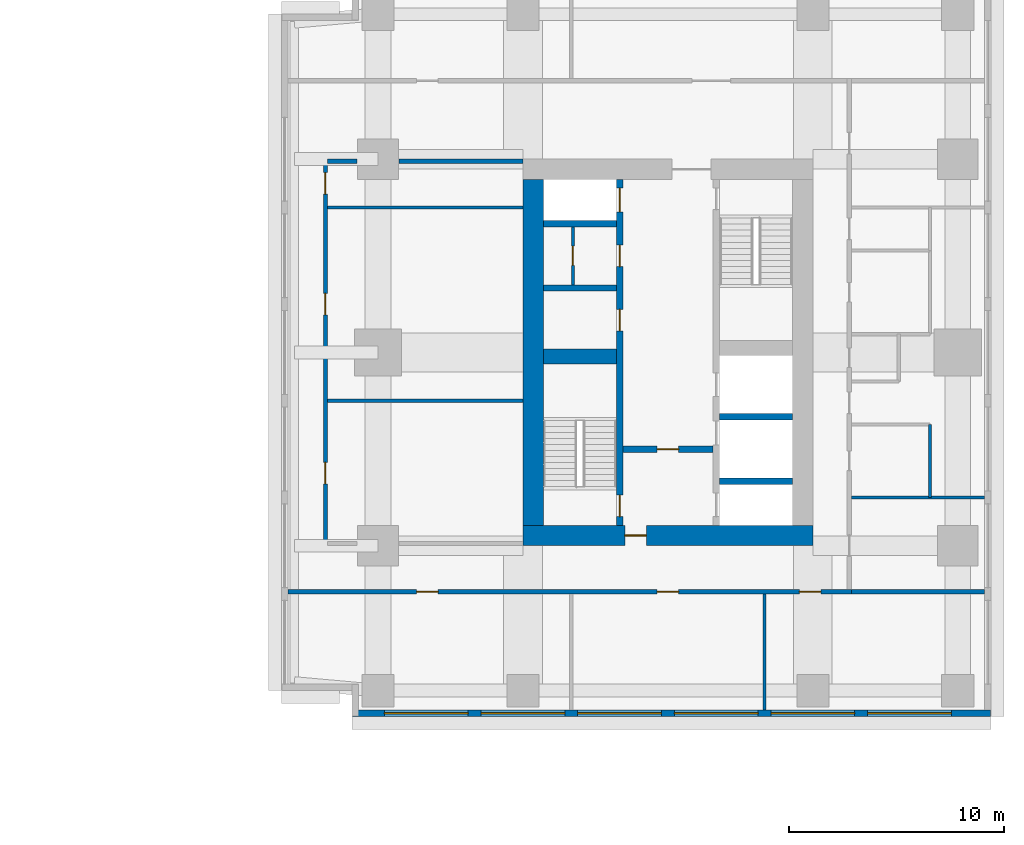
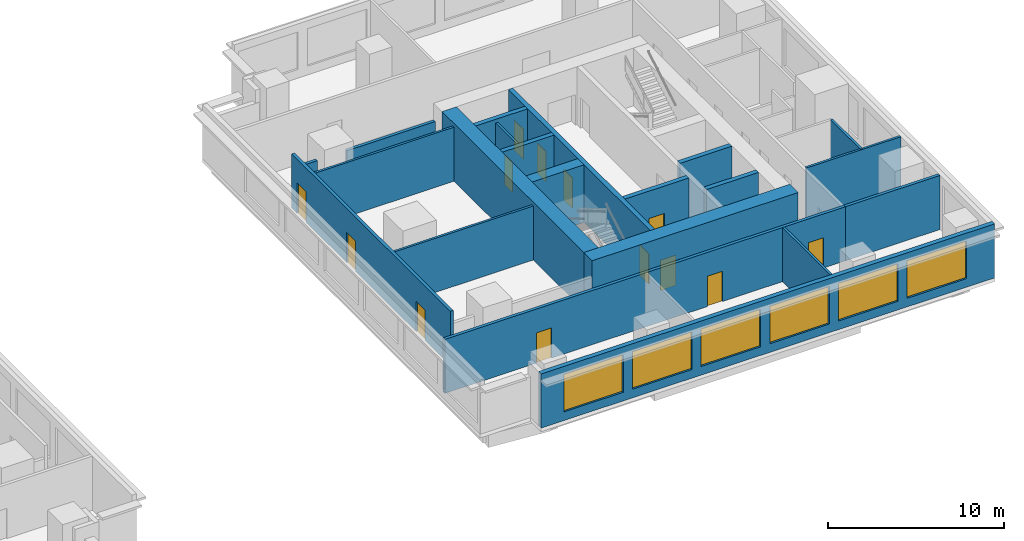
# One storey, part 6 of 10: 21 walls, 13 doors, 6 windows, 19 openings.
"""IFC4 building model written with IfcOpenShell, lengths in metres."""

import ifcopenshell
import ifcopenshell.guid

model = None  # the IFC model being written
_history = None  # IfcOwnerHistory: only IFC2X3 demands one
_inside = {}  # id of a spatial element -> (the spatial element, [elements in it])
_under = {}  # id of a project, library or spatial element -> (it, [spatial elements below it])
_declared = {}  # id of a project -> (the project, [libraries it declares])
_typed = {}  # id of a type object -> (the type object, [elements of that type])
_made_of = {}  # id of a material, layer set ... -> (it, [elements and type objects made of it])


def new_model(schema):
    """Start an empty IFC model of exactly this schema.

    Asked for "IFC4X3", IfcOpenShell would pick the latest addendum, in which some entities
    have other attributes; the version numbers below select the first issue.
    IFC2X3 requires an IfcOwnerHistory on every rooted entity: one is made here for all.
    """
    global model, _history
    if schema == "IFC4X3":
        model = ifcopenshell.file(schema_version=(4, 3, 0, 0))
    else:
        model = ifcopenshell.file(schema=schema)
    _inside.clear()
    _under.clear()
    _declared.clear()
    _typed.clear()
    _made_of.clear()
    _history = None
    if model.schema == "IFC2X3":
        org = make("IfcOrganization", Name="unknown")
        user = make(
            "IfcPersonAndOrganization",
            ThePerson=make("IfcPerson", FamilyName="unknown"),
            TheOrganization=org,
        )
        app = make(
            "IfcApplication",
            ApplicationDeveloper=org,
            Version="unknown",
            ApplicationFullName="unknown",
            ApplicationIdentifier="unknown",
        )
        _history = make(
            "IfcOwnerHistory",
            OwningUser=user,
            OwningApplication=app,
            ChangeAction="ADDED",
            CreationDate=0,
        )
    return model


def make(cls, **values):
    """One entity of the class cls with the attributes given. An attribute that is None is left unset."""
    return model.create_entity(
        cls, **{name: value for name, value in values.items() if value is not None}
    )


def rooted(cls, **values):
    """An entity with a GlobalId (a new one), such as an element, a storey or a relation."""
    return make(cls, GlobalId=ifcopenshell.guid.new(), OwnerHistory=_history, **values)


def si_unit(unit_type, name, prefix=None):
    """IfcSIUnit, for example si_unit("LENGTHUNIT", "METRE", prefix="MILLI")."""
    return make("IfcSIUnit", UnitType=unit_type, Prefix=prefix, Name=name)


def assignment(units):
    """IfcUnitAssignment: the units of a project."""
    return None if units is None else make("IfcUnitAssignment", Units=units)


def point(xyz):
    """IfcCartesianPoint."""
    return None if xyz is None else make("IfcCartesianPoint", Coordinates=xyz)


def direction(xyz):
    """IfcDirection."""
    return None if xyz is None else make("IfcDirection", DirectionRatios=xyz)


def frame(location, z_axis=None, x_axis=None):
    """IfcAxis2Placement3D, a coordinate frame: its origin and axes. An axis left out is left unset."""
    return make(
        "IfcAxis2Placement3D",
        Location=point(location),
        Axis=direction(z_axis),
        RefDirection=direction(x_axis),
    )


def frame_2d(location, x_axis=None):
    """IfcAxis2Placement2D, a coordinate frame in the plane: its origin and x axis."""
    return make(
        "IfcAxis2Placement2D", Location=point(location), RefDirection=direction(x_axis)
    )


def origin():
    """The frame at (0, 0, 0) with its axes left unset."""
    return frame((0.0, 0.0, 0.0))


def place(relative_to, where):
    """IfcLocalPlacement: puts the frame where relative to a parent placement (None: the world)."""
    return make(
        "IfcLocalPlacement", PlacementRelTo=relative_to, RelativePlacement=where
    )


def context(
    kind, dimensions, precision=None, world=None, true_north=None, identifier=None
):
    """IfcGeometricRepresentationContext, for example the 3D "Model" context."""
    return make(
        "IfcGeometricRepresentationContext",
        ContextIdentifier=identifier,
        ContextType=kind,
        CoordinateSpaceDimension=dimensions,
        Precision=precision,
        WorldCoordinateSystem=world,
        TrueNorth=true_north,
    )


def subcontext(parent, identifier, kind, view, scale=None):
    """IfcGeometricRepresentationSubContext, for example "Body" below "Model"."""
    return make(
        "IfcGeometricRepresentationSubContext",
        ContextIdentifier=identifier,
        ContextType=kind,
        ParentContext=parent,
        TargetScale=scale,
        TargetView=view,
    )


def project(units=None, contexts=None):
    """IfcProject with its units and contexts."""
    return rooted(
        "IfcProject",
        Name="project",
        RepresentationContexts=contexts,
        UnitsInContext=assignment(units),
    )


def spatial(cls, under=None, at=None, **own):
    """A site, building, storey or space (cls), placed at a placement, below another one or the project."""
    s = rooted(cls, ObjectPlacement=at, **own)
    if under is not None:
        _under.setdefault(under.id(), (under, []))[1].append(s)
    return s


def profile(cls, at=None, kind="AREA", **sizes):
    """A parametric profile (cls). Its sizes go by their IFC names, for example OverallWidth=200.0."""
    return make(cls, ProfileType=kind, Position=at, **sizes)


def rectangle(**sizes):
    """IfcRectangleProfileDef."""
    return profile("IfcRectangleProfileDef", **sizes)


def extrude(swept, where, along, depth):
    """IfcExtrudedAreaSolid: the profile swept, set in the frame where, extruded along a direction by depth."""
    return make(
        "IfcExtrudedAreaSolid",
        SweptArea=swept,
        Position=where,
        ExtrudedDirection=direction(along),
        Depth=depth,
    )


def shape(context_of_items, identifier, shape_type, items):
    """IfcShapeRepresentation: the items that make up one representation, for example the "Body"."""
    return make(
        "IfcShapeRepresentation",
        ContextOfItems=context_of_items,
        RepresentationIdentifier=identifier,
        RepresentationType=shape_type,
        Items=items,
    )


def material(Name=None, Category=None):
    """IfcMaterial."""
    return make("IfcMaterial", Name=Name, Category=Category)


def layer(
    of_material, thickness, ventilated=None, Name=None, Category=None, Priority=None
):
    """IfcMaterialLayer: one layer of a wall or slab, of a material (None: an air gap)."""
    return make(
        "IfcMaterialLayer",
        Material=of_material,
        LayerThickness=thickness,
        IsVentilated=ventilated,
        Name=Name,
        Category=Category,
        Priority=Priority,
    )


def layer_set(layers, Name=None):
    """IfcMaterialLayerSet."""
    return make("IfcMaterialLayerSet", MaterialLayers=layers, LayerSetName=Name)


def made_of(thing, what):
    """Note that an element or type object is made of a material, layer set ...; save() writes the relation."""
    if what is not None:
        _made_of.setdefault(what.id(), (what, []))[1].append(thing)
    return thing


def type_object(cls, material=None, **own):
    """A type object (cls), such as IfcWallType, which elements share."""
    return made_of(rooted(cls, **own), material)


def element(
    cls,
    number,
    at=None,
    inside=None,
    cuts=None,
    type_object=None,
    material=None,
    context=None,
    identifier="Body",
    shape_type=None,
    held_by="IfcProductDefinitionShape",
    body=None,
    shapes=None,
    **own,
):
    """One element of the class cls, such as IfcWall. Its Tag is "e" and its number.

    at: its placement. inside: the storey or other place that contains it. cuts: it is an
    opening in that element (IfcRelVoidsElement). A single representation is given by context,
    identifier, shape_type and body (its items); several are given by shapes. held_by: the class
    of the entity that holds the representations. save() writes the other relations.
    """
    e = rooted(cls, Tag="e%d" % number, ObjectPlacement=at, **own)
    if body is not None:
        shapes = [shape(context, identifier, shape_type, body)]
    if shapes is not None:
        e.Representation = make(held_by, Representations=shapes)
    if inside is not None:
        _inside.setdefault(inside.id(), (inside, []))[1].append(e)
    if cuts is not None:
        rooted(
            "IfcRelVoidsElement", RelatingBuildingElement=cuts, RelatedOpeningElement=e
        )
    if type_object is not None:
        _typed.setdefault(type_object.id(), (type_object, []))[1].append(e)
    return made_of(e, material)


def fill(opening, filler):
    """IfcRelFillsElement: the door or window that sits in an opening."""
    return rooted(
        "IfcRelFillsElement",
        RelatingOpeningElement=opening,
        RelatedBuildingElement=filler,
    )


def aggregate(whole, parts):
    """IfcRelAggregates: a whole, such as a stair, and the parts it consists of."""
    return rooted("IfcRelAggregates", RelatingObject=whole, RelatedObjects=parts)


def save(model, path):
    """Write the relations noted so far, then the file.

    IfcRelAggregates (storeys below a building ...), IfcRelContainedInSpatialStructure (elements
    in a storey), IfcRelDefinesByType, IfcRelAssociatesMaterial and IfcRelDeclares: one each for
    every whole, place, type object, material and project.
    """
    for whole, parts in _under.values():
        aggregate(whole, parts)
    for where, things in _inside.values():
        rooted(
            "IfcRelContainedInSpatialStructure",
            RelatedElements=things,
            RelatingStructure=where,
        )
    for kind, things in _typed.values():
        rooted("IfcRelDefinesByType", RelatedObjects=things, RelatingType=kind)
    for what, things in _made_of.values():
        rooted("IfcRelAssociatesMaterial", RelatedObjects=things, RelatingMaterial=what)
    for by, libraries in _declared.values():
        rooted("IfcRelDeclares", RelatingContext=by, RelatedDefinitions=libraries)
    model.write(path)


model = new_model("IFC4")

# Units and contexts
model_context = context("Model", 3, precision=1e-05, world=origin(), true_north=direction((0.0, 1.0)))
body_context = subcontext(model_context, "Body", "Model", "MODEL_VIEW")
ifc_project = project(units=[si_unit("LENGTHUNIT", "METRE"), si_unit("AREAUNIT", "SQUARE_METRE"), si_unit("VOLUMEUNIT", "CUBIC_METRE"), si_unit("PLANEANGLEUNIT", "RADIAN"), si_unit("MASSUNIT", "GRAM", prefix="KILO")], contexts=[model_context])

# Site, building, storey
site_placement = place(None, origin())
site = spatial("IfcSite", under=ifc_project, at=site_placement, CompositionType="ELEMENT")
building_placement = place(site_placement, origin())
building = spatial("IfcBuilding", under=site, at=building_placement, Name="Namib Vertical Campus", CompositionType="ELEMENT")
storey_placement = place(building_placement, frame((0.0, 0.0, 141.0)))
storey = spatial("IfcBuildingStorey", under=building, at=storey_placement, Name="L33", CompositionType="ELEMENT", Elevation=141.0)

# Wall, openings, doors
ifc_material_1 = material(Name="Concrete C60/75", Category="concrete")
ifc_layer_1 = layer(ifc_material_1, 0.300048828125)
ifc_layer_set_1 = layer_set([ifc_layer_1], Name="Concrete C60/75")
wall_type_1 = type_object("IfcWallType", Name="Core inner wall 300", PredefinedType="SHEAR", material=ifc_layer_set_1)
wall_1_placement = place(storey_placement, frame((78.75, 12.199951171875, 0.0), z_axis=(0.0, 0.0, 1.0), x_axis=(0.0, 1.0, 0.0)))
wall_1 = element("IfcWall", 1, at=wall_1_placement, inside=storey, type_object=wall_type_1, Name="Core inner wall B L33 W1", PredefinedType="SHEAR", context=body_context, shape_type="SweptSolid", body=[
    extrude(rectangle(XDim=16.10009765625, YDim=0.300048828125, at=frame_2d((8.050048828125, 0.0))), origin(), (0.0, 0.0, 1.0), 4.0),
])
opening_1_placement = place(wall_1_placement, frame((0.39990234375, 0.0, 0.0)))
opening_1 = element("IfcOpeningElement", 2, at=opening_1_placement, cuts=wall_1, Name="Opening FD1", PredefinedType="OPENING", context=body_context, shape_type="SweptSolid", body=[
    extrude(rectangle(XDim=1.0, YDim=2.10009765625, at=frame_2d((0.5, 1.050048828125))), frame((0.0, 0.159912109375, 0.0), z_axis=(0.0, -1.0, 0.0), x_axis=(1.0, 0.0, 0.0)), (0.0, 0.0, 1.0), 0.320068359375),
])
opening_2_placement = place(wall_1_placement, frame((14.60009765625, 0.0, 0.0)))
opening_2 = element("IfcOpeningElement", 3, at=opening_2_placement, cuts=wall_1, Name="Opening LD1", PredefinedType="OPENING", context=body_context, shape_type="SweptSolid", body=[
    extrude(rectangle(XDim=1.10009765625, YDim=2.10009765625, at=frame_2d((0.550048828125, 1.050048828125))), frame((0.0, 0.159912109375, 0.0), z_axis=(0.0, -1.0, 0.0), x_axis=(1.0, 0.0, 0.0)), (0.0, 0.0, 1.0), 0.320068359375),
])
opening_3_placement = place(wall_1_placement, frame((9.050048828125, 0.0, 0.0)))
opening_3 = element("IfcOpeningElement", 4, at=opening_3_placement, cuts=wall_1, Name="Opening D1", PredefinedType="OPENING", context=body_context, shape_type="SweptSolid", body=[
    extrude(rectangle(XDim=1.0, YDim=2.10009765625, at=frame_2d((0.5, 1.050048828125))), frame((0.0, 0.159912109375, 0.0), z_axis=(0.0, -1.0, 0.0), x_axis=(1.0, 0.0, 0.0)), (0.0, 0.0, 1.0), 0.320068359375),
])
opening_4_placement = place(wall_1_placement, frame((12.050048828125, 0.0, 0.0)))
opening_4 = element("IfcOpeningElement", 5, at=opening_4_placement, cuts=wall_1, Name="Opening D1", PredefinedType="OPENING", context=body_context, shape_type="SweptSolid", body=[
    extrude(rectangle(XDim=1.0, YDim=2.10009765625, at=frame_2d((0.5, 1.050048828125))), frame((0.0, 0.159912109375, 0.0), z_axis=(0.0, -1.0, 0.0), x_axis=(1.0, 0.0, 0.0)), (0.0, 0.0, 1.0), 0.320068359375),
])
ifc_material_2 = material(Name="Timber door leaf", Category="wood")
door_type_1 = type_object("IfcDoorType", Name="Door single 1000x2100", OperationType="SINGLE_SWING_LEFT", PredefinedType="DOOR", material=ifc_material_2)
door_1_placement = place(opening_3_placement, origin())
door_1 = element("IfcDoor", 6, at=door_1_placement, inside=storey, type_object=door_type_1, Name="Door D1 Comms room B L33 P1", OperationType="SINGLE_SWING_LEFT", OverallHeight=2.10009765625, OverallWidth=1.0, PredefinedType="DOOR", context=body_context, shape_type="SweptSolid", body=[
    extrude(rectangle(XDim=1.0, YDim=2.10009765625, at=frame_2d((0.5, 1.050048828125))), frame((0.0, 0.02490234375, 0.0), z_axis=(0.0, -1.0, 0.0), x_axis=(1.0, 0.0, 0.0)), (0.0, 0.0, 1.0), 0.050048828125),
])
fill(opening_3, door_1)
door_2_placement = place(opening_4_placement, origin())
door_2 = element("IfcDoor", 7, at=door_2_placement, inside=storey, type_object=door_type_1, Name="Door D1 Store B L33 P2", OperationType="SINGLE_SWING_LEFT", OverallHeight=2.10009765625, OverallWidth=1.0, PredefinedType="DOOR", context=body_context, shape_type="SweptSolid", body=[
    extrude(rectangle(XDim=1.0, YDim=2.10009765625, at=frame_2d((0.5, 1.050048828125))), frame((0.0, 0.02490234375, 0.0), z_axis=(0.0, -1.0, 0.0), x_axis=(1.0, 0.0, 0.0)), (0.0, 0.0, 1.0), 0.050048828125),
])
fill(opening_4, door_2)
ifc_material_3 = material(Name="Steel fire door", Category="steel")
door_type_2 = type_object("IfcDoorType", Name="Fire door 1000x2100", OperationType="SINGLE_SWING_RIGHT", PredefinedType="DOOR", material=ifc_material_3)
door_3_placement = place(opening_1_placement, origin())
door_3 = element("IfcDoor", 8, at=door_3_placement, inside=storey, type_object=door_type_2, Name="Stair door FD1 B L33 S1", OperationType="SINGLE_SWING_LEFT", OverallHeight=2.10009765625, OverallWidth=1.0, PredefinedType="DOOR", context=body_context, shape_type="SweptSolid", body=[
    extrude(rectangle(XDim=1.0, YDim=2.10009765625, at=frame_2d((0.5, 1.050048828125))), frame((0.0, 0.02490234375, 0.0), z_axis=(0.0, -1.0, 0.0), x_axis=(1.0, 0.0, 0.0)), (0.0, 0.0, 1.0), 0.050048828125),
])
fill(opening_1, door_3)
ifc_material_4 = material(Name="Stainless steel lift door", Category="steel")
door_type_3 = type_object("IfcDoorType", Name="Lift landing door 1100x2100", OperationType="DOUBLE_DOOR_SLIDING", PredefinedType="DOOR", material=ifc_material_4)
door_4_placement = place(opening_2_placement, origin())
door_4 = element("IfcDoor", 9, at=door_4_placement, inside=storey, type_object=door_type_3, Name="Lift landing door LD1 B-P3 L33", OperationType="DOUBLE_DOOR_SLIDING", OverallHeight=2.10009765625, OverallWidth=1.10009765625, PredefinedType="DOOR", context=body_context, shape_type="SweptSolid", body=[
    extrude(rectangle(XDim=1.10009765625, YDim=2.10009765625, at=frame_2d((0.550048828125, 1.050048828125))), frame((0.0, 0.02490234375, 0.0), z_axis=(0.0, -1.0, 0.0), x_axis=(1.0, 0.0, 0.0)), (0.0, 0.0, 1.0), 0.050048828125),
])
fill(opening_2, door_4)

# Wall, opening, door
wall_2_placement = place(storey_placement, frame((78.89990234375, 15.75, 0.0), z_axis=(0.0, 0.0, 1.0), x_axis=(1.0, 0.0, 0.0)))
wall_2 = element("IfcWall", 10, at=wall_2_placement, inside=storey, type_object=wall_type_1, Name="Core inner wall B L33 W4", PredefinedType="SHEAR", context=body_context, shape_type="SweptSolid", body=[
    extrude(rectangle(XDim=4.2001953125, YDim=0.300048828125, at=frame_2d((2.10009765625, 0.0))), origin(), (0.0, 0.0, 1.0), 4.0),
])
opening_5_placement = place(wall_2_placement, frame((1.60009765625, 0.0, 0.0)))
opening_5 = element("IfcOpeningElement", 11, at=opening_5_placement, cuts=wall_2, Name="Opening FD5", PredefinedType="OPENING", context=body_context, shape_type="SweptSolid", body=[
    extrude(rectangle(XDim=1.0, YDim=2.10009765625, at=frame_2d((0.5, 1.050048828125))), frame((0.0, 0.159912109375, 0.0), z_axis=(0.0, -1.0, 0.0), x_axis=(1.0, 0.0, 0.0)), (0.0, 0.0, 1.0), 0.320068359375),
])
ifc_material_5 = material(Name="Steel fire door", Category="steel")
door_type_4 = type_object("IfcDoorType", Name="Fire door 1000x2100 120 min", OperationType="SINGLE_SWING_RIGHT", PredefinedType="DOOR", material=ifc_material_5)
door_5_placement = place(opening_5_placement, frame((1.0, 0.0, 0.0), z_axis=(0.0, 0.0, 1.0), x_axis=(-1.0, 0.0, 0.0)))
door_5 = element("IfcDoor", 12, at=door_5_placement, inside=storey, type_object=door_type_4, Name="Lobby door FD5 B L33", OperationType="SINGLE_SWING_RIGHT", OverallHeight=2.10009765625, OverallWidth=1.0, PredefinedType="DOOR", context=body_context, shape_type="SweptSolid", body=[
    extrude(rectangle(XDim=1.0, YDim=2.10009765625, at=frame_2d((0.5, 1.050048828125))), frame((0.0, 0.02490234375, 0.0), z_axis=(0.0, -1.0, 0.0), x_axis=(1.0, 0.0, 0.0)), (0.0, 0.0, 1.0), 0.050048828125),
])
fill(opening_5, door_5)

# Walls
for number, where, z_axis, x_axis, name in (
    (13, (83.39990234375, 14.25, 0.0), (0.0, 0.0, 1.0), (1.0, 0.0, 0.0), "Core inner wall B L33 W5"),
    (14, (83.39990234375, 17.25, 0.0), (0.0, 0.0, 1.0), (1.0, 0.0, 0.0), "Core inner wall B L33 W6"),
    (15, (75.199951171875, 23.25, 0.0), (0.0, 0.0, 1.0), (1.0, 0.0, 0.0), "Core inner wall B L33 W8"),
    (16, (75.199951171875, 26.25, 0.0), (0.0, 0.0, 1.0), (1.0, 0.0, 0.0), "Core inner wall B L33 W9"),
):
    element("IfcWall", number, at=place(storey_placement, frame(where, z_axis=z_axis, x_axis=x_axis)), inside=storey, type_object=wall_type_1, Name=name, PredefinedType="SHEAR", context=body_context, shape_type="SweptSolid", body=[
        extrude(rectangle(XDim=3.400146484375, YDim=0.300048828125, at=frame_2d((1.7001953125, 0.0))), origin(), (0.0, 0.0, 1.0), 4.0),
    ])
ifc_material_6 = material(Name="Concrete C60/75", Category="concrete")
ifc_layer_2 = layer(ifc_material_6, 0.699951171875)
ifc_layer_set_2 = layer_set([ifc_layer_2], Name="Concrete C60/75")
wall_type_2 = type_object("IfcWallType", Name="Core shear wall 700", PredefinedType="SHEAR", material=ifc_layer_set_2)
wall_3_placement = place(storey_placement, frame((75.199951171875, 20.050048828125, 0.0), z_axis=(0.0, 0.0, 1.0), x_axis=(1.0, 0.0, 0.0)))
element("IfcWall", 17, at=wall_3_placement, inside=storey, type_object=wall_type_2, Name="Core shear wall B L33 W3", PredefinedType="SHEAR", context=body_context, shape_type="SweptSolid", body=[
    extrude(rectangle(XDim=3.400146484375, YDim=0.699951171875, at=frame_2d((1.7001953125, 0.0))), origin(), (0.0, 0.0, 1.0), 4.0),
])

# Wall, opening, door
ifc_material_7 = material(Name="Concrete C60/75", Category="concrete")
ifc_layer_3 = layer(ifc_material_7, 0.949951171875)
ifc_layer_set_3 = layer_set([ifc_layer_3], Name="Concrete C60/75")
wall_type_3 = type_object("IfcWallType", Name="Core wall 950", PredefinedType="SHEAR", material=ifc_layer_set_3)
wall_4_placement = place(storey_placement, frame((74.25, 11.72509765625, 0.0), z_axis=(0.0, 0.0, 1.0), x_axis=(1.0, 0.0, 0.0)))
wall_4 = element("IfcWall", 18, at=wall_4_placement, inside=storey, type_object=wall_type_3, Name="Core wall B L33 1", PredefinedType="SHEAR", context=body_context, shape_type="SweptSolid", body=[
    extrude(rectangle(XDim=13.5, YDim=0.949951171875, at=frame_2d((6.75, 0.0))), origin(), (0.0, 0.0, 1.0), 4.0),
])
opening_6_placement = place(wall_4_placement, frame((4.75, 0.0, 0.0)))
opening_6 = element("IfcOpeningElement", 19, at=opening_6_placement, cuts=wall_4, Name="Opening FD5", PredefinedType="OPENING", context=body_context, shape_type="SweptSolid", body=[
    extrude(rectangle(XDim=1.0, YDim=2.10009765625, at=frame_2d((0.5, 1.050048828125))), frame((0.0, 0.48486328125, 0.0), z_axis=(0.0, -1.0, 0.0), x_axis=(1.0, 0.0, 0.0)), (0.0, 0.0, 1.0), 0.969970703125),
])
door_6_placement = place(opening_6_placement, origin())
door_6 = element("IfcDoor", 20, at=door_6_placement, inside=storey, type_object=door_type_4, Name="Firefighting lobby door FD5 B L33", OperationType="SINGLE_SWING_LEFT", OverallHeight=2.10009765625, OverallWidth=1.0, PredefinedType="DOOR", context=body_context, shape_type="SweptSolid", body=[
    extrude(rectangle(XDim=1.0, YDim=2.10009765625, at=frame_2d((0.5, 1.050048828125))), frame((0.0, 0.02490234375, 0.0), z_axis=(0.0, -1.0, 0.0), x_axis=(1.0, 0.0, 0.0)), (0.0, 0.0, 1.0), 0.050048828125),
])
fill(opening_6, door_6)

# Wall
wall_5_placement = place(storey_placement, frame((74.72509765625, 28.300048828125, 0.0), z_axis=(0.0, 0.0, 1.0), x_axis=(0.0, -1.0, 0.0)))
element("IfcWall", 21, at=wall_5_placement, inside=storey, type_object=wall_type_3, Name="Core wall B L33 4", PredefinedType="SHEAR", context=body_context, shape_type="SweptSolid", body=[
    extrude(rectangle(XDim=16.10009765625, YDim=0.949951171875, at=frame_2d((8.050048828125, 0.0))), origin(), (0.0, 0.0, 1.0), 4.0),
])

# Wall, openings, doors
ifc_material_8 = material(Name="Concrete masonry", Category="masonry")
ifc_layer_4 = layer(ifc_material_8, 0.199951171875)
ifc_layer_set_4 = layer_set([ifc_layer_4], Name="Corridor wall 200")
wall_type_4 = type_object("IfcWallType", Name="Corridor wall 200", PredefinedType="SOLIDWALL", material=ifc_layer_set_4)
wall_6_placement = place(storey_placement, frame((63.300048828125, 9.10009765625, 0.0), z_axis=(0.0, 0.0, 1.0), x_axis=(1.0, 0.0, 0.0)))
wall_6 = element("IfcWall", 22, at=wall_6_placement, inside=storey, type_object=wall_type_4, Name="Corridor wall B L33 CS", PredefinedType="SOLIDWALL", context=body_context, shape_type="SweptSolid", body=[
    extrude(rectangle(XDim=26.25, YDim=0.199951171875, at=frame_2d((13.125, 0.0))), origin(), (0.0, 0.0, 1.0), 3.75),
])
opening_7_placement = place(wall_6_placement, frame((6.0, 0.0, 0.0)))
opening_7 = element("IfcOpeningElement", 23, at=opening_7_placement, cuts=wall_6, Name="Opening CD1", PredefinedType="OPENING", context=body_context, shape_type="SweptSolid", body=[
    extrude(rectangle(XDim=1.0, YDim=2.10009765625, at=frame_2d((0.5, 1.050048828125))), frame((0.0, 0.10986328125, 0.0), z_axis=(0.0, -1.0, 0.0), x_axis=(1.0, 0.0, 0.0)), (0.0, 0.0, 1.0), 0.219970703125),
])
opening_8_placement = place(wall_6_placement, frame((17.199951171875, 0.0, 0.0)))
opening_8 = element("IfcOpeningElement", 24, at=opening_8_placement, cuts=wall_6, Name="Opening CD1", PredefinedType="OPENING", context=body_context, shape_type="SweptSolid", body=[
    extrude(rectangle(XDim=1.0, YDim=2.10009765625, at=frame_2d((0.5, 1.050048828125))), frame((0.0, 0.10986328125, 0.0), z_axis=(0.0, -1.0, 0.0), x_axis=(1.0, 0.0, 0.0)), (0.0, 0.0, 1.0), 0.219970703125),
])
opening_9_placement = place(wall_6_placement, frame((23.824951171875, 0.0, 0.0)))
opening_9 = element("IfcOpeningElement", 25, at=opening_9_placement, cuts=wall_6, Name="Opening CD1", PredefinedType="OPENING", context=body_context, shape_type="SweptSolid", body=[
    extrude(rectangle(XDim=1.0, YDim=2.10009765625, at=frame_2d((0.5, 1.050048828125))), frame((0.0, 0.10986328125, 0.0), z_axis=(0.0, -1.0, 0.0), x_axis=(1.0, 0.0, 0.0)), (0.0, 0.0, 1.0), 0.219970703125),
])
ifc_material_9 = material(Name="Timber fire door leaf", Category="wood")
door_type_5 = type_object("IfcDoorType", Name="Corridor door 1000x2100 20 min", OperationType="SINGLE_SWING_LEFT", PredefinedType="DOOR", material=ifc_material_9)
door_7_placement = place(opening_7_placement, frame((1.0, 0.0, 0.0), z_axis=(0.0, 0.0, 1.0), x_axis=(-1.0, 0.0, 0.0)))
door_7 = element("IfcDoor", 26, at=door_7_placement, inside=storey, type_object=door_type_5, Name="Door CD1 B33-01", OperationType="SINGLE_SWING_LEFT", OverallHeight=2.10009765625, OverallWidth=1.0, PredefinedType="DOOR", context=body_context, shape_type="SweptSolid", body=[
    extrude(rectangle(XDim=1.0, YDim=2.10009765625, at=frame_2d((0.5, 1.050048828125))), frame((0.0, 0.02490234375, 0.0), z_axis=(0.0, -1.0, 0.0), x_axis=(1.0, 0.0, 0.0)), (0.0, 0.0, 1.0), 0.050048828125),
])
fill(opening_7, door_7)
door_8_placement = place(opening_8_placement, frame((1.0, 0.0, 0.0), z_axis=(0.0, 0.0, 1.0), x_axis=(-1.0, 0.0, 0.0)))
door_8 = element("IfcDoor", 27, at=door_8_placement, inside=storey, type_object=door_type_5, Name="Door CD1 B33-02", OperationType="SINGLE_SWING_RIGHT", OverallHeight=2.10009765625, OverallWidth=1.0, PredefinedType="DOOR", context=body_context, shape_type="SweptSolid", body=[
    extrude(rectangle(XDim=1.0, YDim=2.10009765625, at=frame_2d((0.5, 1.050048828125))), frame((0.0, 0.02490234375, 0.0), z_axis=(0.0, -1.0, 0.0), x_axis=(1.0, 0.0, 0.0)), (0.0, 0.0, 1.0), 0.050048828125),
])
fill(opening_8, door_8)
door_9_placement = place(opening_9_placement, frame((1.0, 0.0, 0.0), z_axis=(0.0, 0.0, 1.0), x_axis=(-1.0, 0.0, 0.0)))
door_9 = element("IfcDoor", 28, at=door_9_placement, inside=storey, type_object=door_type_5, Name="Door CD1 B33-03", OperationType="SINGLE_SWING_RIGHT", OverallHeight=2.10009765625, OverallWidth=1.0, PredefinedType="DOOR", context=body_context, shape_type="SweptSolid", body=[
    extrude(rectangle(XDim=1.0, YDim=2.10009765625, at=frame_2d((0.5, 1.050048828125))), frame((0.0, 0.02490234375, 0.0), z_axis=(0.0, -1.0, 0.0), x_axis=(1.0, 0.0, 0.0)), (0.0, 0.0, 1.0), 0.050048828125),
])
fill(opening_9, door_9)

wall_7_placement = place(storey_placement, frame((65.050048828125, 29.25, 0.0), z_axis=(0.0, 0.0, 1.0), x_axis=(0.0, -1.0, 0.0)))
wall_7 = element("IfcWall", 29, at=wall_7_placement, inside=storey, type_object=wall_type_4, Name="Corridor wall B L33 CG", PredefinedType="SOLIDWALL", context=body_context, shape_type="SweptSolid", body=[
    extrude(rectangle(XDim=18.0, YDim=0.199951171875, at=frame_2d((9.0, 0.0))), origin(), (0.0, 0.0, 1.0), 3.75),
])
opening_10_placement = place(wall_7_placement, frame((14.125, 0.0, 0.0)))
opening_10 = element("IfcOpeningElement", 30, at=opening_10_placement, cuts=wall_7, Name="Opening CD1", PredefinedType="OPENING", context=body_context, shape_type="SweptSolid", body=[
    extrude(rectangle(XDim=1.0, YDim=2.10009765625, at=frame_2d((0.5, 1.050048828125))), frame((0.0, 0.10986328125, 0.0), z_axis=(0.0, -1.0, 0.0), x_axis=(1.0, 0.0, 0.0)), (0.0, 0.0, 1.0), 0.219970703125),
])
opening_11_placement = place(wall_7_placement, frame((6.25, 0.0, 0.0)))
opening_11 = element("IfcOpeningElement", 31, at=opening_11_placement, cuts=wall_7, Name="Opening CD1", PredefinedType="OPENING", context=body_context, shape_type="SweptSolid", body=[
    extrude(rectangle(XDim=1.0, YDim=2.10009765625, at=frame_2d((0.5, 1.050048828125))), frame((0.0, 0.10986328125, 0.0), z_axis=(0.0, -1.0, 0.0), x_axis=(1.0, 0.0, 0.0)), (0.0, 0.0, 1.0), 0.219970703125),
])
opening_12_placement = place(wall_7_placement, frame((0.625, 0.0, 0.0)))
opening_12 = element("IfcOpeningElement", 32, at=opening_12_placement, cuts=wall_7, Name="Opening CD1", PredefinedType="OPENING", context=body_context, shape_type="SweptSolid", body=[
    extrude(rectangle(XDim=1.0, YDim=2.10009765625, at=frame_2d((0.5, 1.050048828125))), frame((0.0, 0.10986328125, 0.0), z_axis=(0.0, -1.0, 0.0), x_axis=(1.0, 0.0, 0.0)), (0.0, 0.0, 1.0), 0.219970703125),
])
door_10_placement = place(opening_10_placement, origin())
door_10 = element("IfcDoor", 33, at=door_10_placement, inside=storey, type_object=door_type_5, Name="Door CD1 B33-13", OperationType="SINGLE_SWING_LEFT", OverallHeight=2.10009765625, OverallWidth=1.0, PredefinedType="DOOR", context=body_context, shape_type="SweptSolid", body=[
    extrude(rectangle(XDim=1.0, YDim=2.10009765625, at=frame_2d((0.5, 1.050048828125))), frame((0.0, 0.02490234375, 0.0), z_axis=(0.0, -1.0, 0.0), x_axis=(1.0, 0.0, 0.0)), (0.0, 0.0, 1.0), 0.050048828125),
])
fill(opening_10, door_10)
door_11_placement = place(opening_11_placement, origin())
door_11 = element("IfcDoor", 34, at=door_11_placement, inside=storey, type_object=door_type_5, Name="Door CD1 B33-14", OperationType="SINGLE_SWING_LEFT", OverallHeight=2.10009765625, OverallWidth=1.0, PredefinedType="DOOR", context=body_context, shape_type="SweptSolid", body=[
    extrude(rectangle(XDim=1.0, YDim=2.10009765625, at=frame_2d((0.5, 1.050048828125))), frame((0.0, 0.02490234375, 0.0), z_axis=(0.0, -1.0, 0.0), x_axis=(1.0, 0.0, 0.0)), (0.0, 0.0, 1.0), 0.050048828125),
])
fill(opening_11, door_11)
door_12_placement = place(opening_12_placement, origin())
door_12 = element("IfcDoor", 35, at=door_12_placement, inside=storey, type_object=door_type_5, Name="Door CD1 B33-15", OperationType="SINGLE_SWING_LEFT", OverallHeight=2.10009765625, OverallWidth=1.0, PredefinedType="DOOR", context=body_context, shape_type="SweptSolid", body=[
    extrude(rectangle(XDim=1.0, YDim=2.10009765625, at=frame_2d((0.5, 1.050048828125))), frame((0.0, 0.02490234375, 0.0), z_axis=(0.0, -1.0, 0.0), x_axis=(1.0, 0.0, 0.0)), (0.0, 0.0, 1.0), 0.050048828125),
])
fill(opening_12, door_12)

# Walls
wall_8_placement = place(storey_placement, frame((65.14990234375, 29.14990234375, 0.0), z_axis=(0.0, 0.0, 1.0), x_axis=(1.0, 0.0, 0.0)))
element("IfcWall", 36, at=wall_8_placement, inside=storey, type_object=wall_type_4, Name="Corridor wall B L33 GN", PredefinedType="SOLIDWALL", context=body_context, shape_type="SweptSolid", body=[
    extrude(rectangle(XDim=1.380126953125, YDim=0.199951171875, at=frame_2d((0.68994140625, 0.0))), origin(), (0.0, 0.0, 1.0), 2.85009765625),
])
wall_9_placement = place(storey_placement, frame((68.469970703125, 29.14990234375, 0.0), z_axis=(0.0, 0.0, 1.0), x_axis=(1.0, 0.0, 0.0)))
element("IfcWall", 37, at=wall_9_placement, inside=storey, type_object=wall_type_4, Name="Corridor wall B L33 GN", PredefinedType="SOLIDWALL", context=body_context, shape_type="SweptSolid", body=[
    extrude(rectangle(XDim=5.780029296875, YDim=0.199951171875, at=frame_2d((2.89013671875, 0.0))), origin(), (0.0, 0.0, 1.0), 2.85009765625),
])
wall_10_placement = place(storey_placement, frame((89.550048828125, 9.10009765625, 0.0), z_axis=(0.0, 0.0, 1.0), x_axis=(1.0, 0.0, 0.0)))
element("IfcWall", 38, at=wall_10_placement, inside=storey, type_object=wall_type_4, Name="Partition B L33 BSE", PredefinedType="SOLIDWALL", context=body_context, shape_type="SweptSolid", body=[
    extrude(rectangle(XDim=6.199951171875, YDim=0.199951171875, at=frame_2d((3.10009765625, 0.0))), origin(), (0.0, 0.0, 1.0), 3.75),
])

# Wall, openings, windows
ifc_material_10 = material(Name="Concrete C40/50", Category="concrete")
ifc_layer_5 = layer(ifc_material_10, 0.300048828125)
ifc_layer_set_5 = layer_set([ifc_layer_5], Name="Concrete C40/50")
wall_type_5 = type_object("IfcWallType", Name="External wall 300 board-marked concrete", PredefinedType="STANDARD", material=ifc_layer_set_5)
wall_11_placement = place(storey_placement, frame((66.320068359375, 3.449951171875, 0.0), z_axis=(0.0, 0.0, 1.0), x_axis=(1.0, 0.0, 0.0)))
wall_11 = element("IfcWall", 39, at=wall_11_placement, inside=storey, type_object=wall_type_5, Name="External wall L33 F03", PredefinedType="STANDARD", context=body_context, shape_type="SweptSolid", body=[
    extrude(rectangle(XDim=29.7099609375, YDim=0.300048828125, at=frame_2d((14.85498046875, 0.0))), origin(), (0.0, 0.0, 1.0), 3.75),
])
opening_13_placement = place(wall_11_placement, frame((1.47998046875, 0.0, 0.60009765625)))
opening_13 = element("IfcOpeningElement", 40, at=opening_13_placement, cuts=wall_11, Name="Opening W2", PredefinedType="OPENING", context=body_context, shape_type="SweptSolid", body=[
    extrude(rectangle(XDim=3.89990234375, YDim=2.60009765625, at=frame_2d((1.949951171875, 1.300048828125))), frame((0.0, 0.159912109375, 0.0), z_axis=(0.0, -1.0, 0.0), x_axis=(1.0, 0.0, 0.0)), (0.0, 0.0, 1.0), 0.320068359375),
])
opening_14_placement = place(wall_11_placement, frame((5.97998046875, 0.0, 0.60009765625)))
opening_14 = element("IfcOpeningElement", 41, at=opening_14_placement, cuts=wall_11, Name="Opening W2", PredefinedType="OPENING", context=body_context, shape_type="SweptSolid", body=[
    extrude(rectangle(XDim=3.89990234375, YDim=2.60009765625, at=frame_2d((1.949951171875, 1.300048828125))), frame((0.0, 0.159912109375, 0.0), z_axis=(0.0, -1.0, 0.0), x_axis=(1.0, 0.0, 0.0)), (0.0, 0.0, 1.0), 0.320068359375),
])
opening_15_placement = place(wall_11_placement, frame((10.47998046875, 0.0, 0.60009765625)))
opening_15 = element("IfcOpeningElement", 42, at=opening_15_placement, cuts=wall_11, Name="Opening W2", PredefinedType="OPENING", context=body_context, shape_type="SweptSolid", body=[
    extrude(rectangle(XDim=3.89990234375, YDim=2.60009765625, at=frame_2d((1.949951171875, 1.300048828125))), frame((0.0, 0.159912109375, 0.0), z_axis=(0.0, -1.0, 0.0), x_axis=(1.0, 0.0, 0.0)), (0.0, 0.0, 1.0), 0.320068359375),
])
opening_16_placement = place(wall_11_placement, frame((14.97998046875, 0.0, 0.60009765625)))
opening_16 = element("IfcOpeningElement", 43, at=opening_16_placement, cuts=wall_11, Name="Opening W2", PredefinedType="OPENING", context=body_context, shape_type="SweptSolid", body=[
    extrude(rectangle(XDim=3.89990234375, YDim=2.60009765625, at=frame_2d((1.949951171875, 1.300048828125))), frame((0.0, 0.159912109375, 0.0), z_axis=(0.0, -1.0, 0.0), x_axis=(1.0, 0.0, 0.0)), (0.0, 0.0, 1.0), 0.320068359375),
])
opening_17_placement = place(wall_11_placement, frame((19.47998046875, 0.0, 0.60009765625)))
opening_17 = element("IfcOpeningElement", 44, at=opening_17_placement, cuts=wall_11, Name="Opening W2", PredefinedType="OPENING", context=body_context, shape_type="SweptSolid", body=[
    extrude(rectangle(XDim=3.89990234375, YDim=2.60009765625, at=frame_2d((1.949951171875, 1.300048828125))), frame((0.0, 0.159912109375, 0.0), z_axis=(0.0, -1.0, 0.0), x_axis=(1.0, 0.0, 0.0)), (0.0, 0.0, 1.0), 0.320068359375),
])
opening_18_placement = place(wall_11_placement, frame((23.97998046875, 0.0, 0.60009765625)))
opening_18 = element("IfcOpeningElement", 45, at=opening_18_placement, cuts=wall_11, Name="Opening W2", PredefinedType="OPENING", context=body_context, shape_type="SweptSolid", body=[
    extrude(rectangle(XDim=3.89990234375, YDim=2.60009765625, at=frame_2d((1.949951171875, 1.300048828125))), frame((0.0, 0.159912109375, 0.0), z_axis=(0.0, -1.0, 0.0), x_axis=(1.0, 0.0, 0.0)), (0.0, 0.0, 1.0), 0.320068359375),
])
ifc_material_11 = material(Name="Dark tinted glass in black aluminium frame", Category="aluminium")
window_type = type_object("IfcWindowType", Name="Ribbon window 3900x2600", PartitioningType="SINGLE_PANEL", PredefinedType="WINDOW", material=ifc_material_11)
window_1_placement = place(opening_13_placement, origin())
window_1 = element("IfcWindow", 46, at=window_1_placement, inside=storey, type_object=window_type, Name="Window W2 L33 F03-1", OverallHeight=2.60009765625, OverallWidth=3.89990234375, PartitioningType="SINGLE_PANEL", PredefinedType="WINDOW", context=body_context, shape_type="SweptSolid", body=[
    extrude(rectangle(XDim=3.89990234375, YDim=2.60009765625, at=frame_2d((1.949951171875, 1.300048828125))), frame((0.0, 0.030029296875, 0.0), z_axis=(0.0, -1.0, 0.0), x_axis=(1.0, 0.0, 0.0)), (0.0, 0.0, 1.0), 0.06005859375),
])
fill(opening_13, window_1)
window_2_placement = place(opening_14_placement, origin())
window_2 = element("IfcWindow", 47, at=window_2_placement, inside=storey, type_object=window_type, Name="Window W2 L33 F03-2", OverallHeight=2.60009765625, OverallWidth=3.89990234375, PartitioningType="SINGLE_PANEL", PredefinedType="WINDOW", context=body_context, shape_type="SweptSolid", body=[
    extrude(rectangle(XDim=3.89990234375, YDim=2.60009765625, at=frame_2d((1.949951171875, 1.300048828125))), frame((0.0, 0.030029296875, 0.0), z_axis=(0.0, -1.0, 0.0), x_axis=(1.0, 0.0, 0.0)), (0.0, 0.0, 1.0), 0.06005859375),
])
fill(opening_14, window_2)
window_3_placement = place(opening_15_placement, origin())
window_3 = element("IfcWindow", 48, at=window_3_placement, inside=storey, type_object=window_type, Name="Window W2 L33 F03-3", OverallHeight=2.60009765625, OverallWidth=3.89990234375, PartitioningType="SINGLE_PANEL", PredefinedType="WINDOW", context=body_context, shape_type="SweptSolid", body=[
    extrude(rectangle(XDim=3.89990234375, YDim=2.60009765625, at=frame_2d((1.949951171875, 1.300048828125))), frame((0.0, 0.030029296875, 0.0), z_axis=(0.0, -1.0, 0.0), x_axis=(1.0, 0.0, 0.0)), (0.0, 0.0, 1.0), 0.06005859375),
])
fill(opening_15, window_3)
window_4_placement = place(opening_16_placement, origin())
window_4 = element("IfcWindow", 49, at=window_4_placement, inside=storey, type_object=window_type, Name="Window W2 L33 F03-4", OverallHeight=2.60009765625, OverallWidth=3.89990234375, PartitioningType="SINGLE_PANEL", PredefinedType="WINDOW", context=body_context, shape_type="SweptSolid", body=[
    extrude(rectangle(XDim=3.89990234375, YDim=2.60009765625, at=frame_2d((1.949951171875, 1.300048828125))), frame((0.0, 0.030029296875, 0.0), z_axis=(0.0, -1.0, 0.0), x_axis=(1.0, 0.0, 0.0)), (0.0, 0.0, 1.0), 0.06005859375),
])
fill(opening_16, window_4)
window_5_placement = place(opening_17_placement, origin())
window_5 = element("IfcWindow", 50, at=window_5_placement, inside=storey, type_object=window_type, Name="Window W2 L33 F03-5", OverallHeight=2.60009765625, OverallWidth=3.89990234375, PartitioningType="SINGLE_PANEL", PredefinedType="WINDOW", context=body_context, shape_type="SweptSolid", body=[
    extrude(rectangle(XDim=3.89990234375, YDim=2.60009765625, at=frame_2d((1.949951171875, 1.300048828125))), frame((0.0, 0.030029296875, 0.0), z_axis=(0.0, -1.0, 0.0), x_axis=(1.0, 0.0, 0.0)), (0.0, 0.0, 1.0), 0.06005859375),
])
fill(opening_17, window_5)
window_6_placement = place(opening_18_placement, origin())
window_6 = element("IfcWindow", 51, at=window_6_placement, inside=storey, type_object=window_type, Name="Window W2 L33 F03-6", OverallHeight=2.60009765625, OverallWidth=3.89990234375, PartitioningType="SINGLE_PANEL", PredefinedType="WINDOW", context=body_context, shape_type="SweptSolid", body=[
    extrude(rectangle(XDim=3.89990234375, YDim=2.60009765625, at=frame_2d((1.949951171875, 1.300048828125))), frame((0.0, 0.030029296875, 0.0), z_axis=(0.0, -1.0, 0.0), x_axis=(1.0, 0.0, 0.0)), (0.0, 0.0, 1.0), 0.06005859375),
])
fill(opening_18, window_6)

# Wall, opening, door
ifc_material_12 = material(Name="Gypsum board on steel studs", Category="steel")
ifc_layer_6 = layer(ifc_material_12, 0.14990234375)
ifc_layer_set_6 = layer_set([ifc_layer_6], Name="Gypsum board on steel studs")
wall_type_6 = type_object("IfcWallType", Name="Partition 150", PredefinedType="PARTITIONING", material=ifc_layer_set_6)
wall_12_placement = place(storey_placement, frame((76.574951171875, 23.39990234375, 0.0), z_axis=(0.0, 0.0, 1.0), x_axis=(0.0, 1.0, 0.0)))
wall_12 = element("IfcWall", 52, at=wall_12_placement, inside=storey, type_object=wall_type_6, Name="Partition B L33 Store P2 back", PredefinedType="PARTITIONING", context=body_context, shape_type="SweptSolid", body=[
    extrude(rectangle(XDim=2.7001953125, YDim=0.14990234375, at=frame_2d((1.35009765625, 0.0))), origin(), (0.0, 0.0, 1.0), 3.75),
])
opening_19_placement = place(wall_12_placement, frame((0.89990234375, 0.0, 0.0)))
opening_19 = element("IfcOpeningElement", 53, at=opening_19_placement, cuts=wall_12, Name="Opening D3", PredefinedType="OPENING", context=body_context, shape_type="SweptSolid", body=[
    extrude(rectangle(XDim=0.89990234375, YDim=2.10009765625, at=frame_2d((0.449951171875, 1.050048828125))), frame((0.0, 0.0849609375, 0.0), z_axis=(0.0, -1.0, 0.0), x_axis=(1.0, 0.0, 0.0)), (0.0, 0.0, 1.0), 0.169921875),
])
ifc_material_13 = material(Name="Timber door leaf", Category="wood")
door_type_6 = type_object("IfcDoorType", Name="Toilet door 900x2100", OperationType="SINGLE_SWING_LEFT", PredefinedType="DOOR", material=ifc_material_13)
door_13_placement = place(opening_19_placement, origin())
door_13 = element("IfcDoor", 54, at=door_13_placement, inside=storey, type_object=door_type_6, Name="Door D3 Store B L33 P2", OperationType="SINGLE_SWING_LEFT", OverallHeight=2.10009765625, OverallWidth=0.89990234375, PredefinedType="DOOR", context=body_context, shape_type="SweptSolid", body=[
    extrude(rectangle(XDim=0.89990234375, YDim=2.10009765625, at=frame_2d((0.449951171875, 1.050048828125))), frame((0.0, 0.02490234375, 0.0), z_axis=(0.0, -1.0, 0.0), x_axis=(1.0, 0.0, 0.0)), (0.0, 0.0, 1.0), 0.050048828125),
])
fill(opening_19, door_13)

# Walls
wall_13_placement = place(storey_placement, frame((85.5, 3.60009765625, 0.0), z_axis=(0.0, 0.0, 1.0), x_axis=(0.0, 1.0, 0.0)))
element("IfcWall", 55, at=wall_13_placement, inside=storey, type_object=wall_type_6, Name="Partition B L33 PS2", PredefinedType="PARTITIONING", context=body_context, shape_type="SweptSolid", body=[
    extrude(rectangle(XDim=5.39990234375, YDim=0.14990234375, at=frame_2d((2.699951171875, 0.0))), origin(), (0.0, 0.0, 1.0), 3.75),
])
wall_14_placement = place(storey_placement, frame((89.550048828125, 13.5, 0.0), z_axis=(0.0, 0.0, 1.0), x_axis=(1.0, 0.0, 0.0)))
element("IfcWall", 56, at=wall_14_placement, inside=storey, type_object=wall_type_6, Name="Partition B L33 PE1", PredefinedType="PARTITIONING", context=body_context, shape_type="SweptSolid", body=[
    extrude(rectangle(XDim=6.199951171875, YDim=0.14990234375, at=frame_2d((3.10009765625, 0.0))), origin(), (0.0, 0.0, 1.0), 3.75),
])
for number, where, z_axis, x_axis, name in (
    (57, (65.14990234375, 18.0, 0.0), (0.0, 0.0, 1.0), (1.0, 0.0, 0.0), "Partition B L33 PW1"),
    (58, (65.14990234375, 27.0, 0.0), (0.0, 0.0, 1.0), (1.0, 0.0, 0.0), "Partition B L33 PW2"),
):
    element("IfcWall", number, at=place(storey_placement, frame(where, z_axis=z_axis, x_axis=x_axis)), inside=storey, type_object=wall_type_6, Name=name, PredefinedType="PARTITIONING", context=body_context, shape_type="SweptSolid", body=[
        extrude(rectangle(XDim=9.10009765625, YDim=0.14990234375, at=frame_2d((4.550048828125, 0.0))), origin(), (0.0, 0.0, 1.0), 3.75),
    ])
wall_15_placement = place(storey_placement, frame((93.199951171875, 13.5, 0.0), z_axis=(0.0, 0.0, 1.0), x_axis=(0.0, 1.0, 0.0)))
element("IfcWall", 59, at=wall_15_placement, inside=storey, type_object=wall_type_6, Name="Partition B L33 WB1", PredefinedType="PARTITIONING", context=body_context, shape_type="SweptSolid", body=[
    extrude(rectangle(XDim=3.39990234375, YDim=0.14990234375, at=frame_2d((1.699951171875, 0.0))), origin(), (0.0, 0.0, 1.0), 3.75),
])

save(model, "model.ifc")
